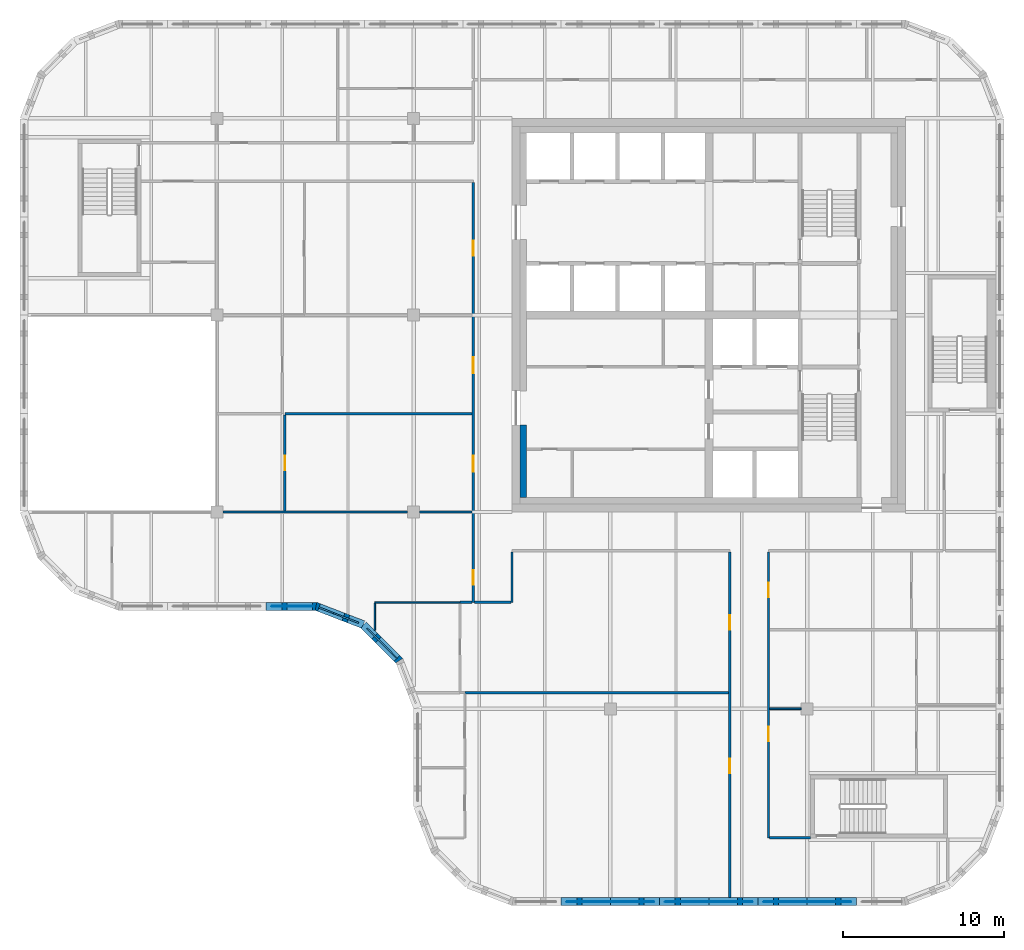
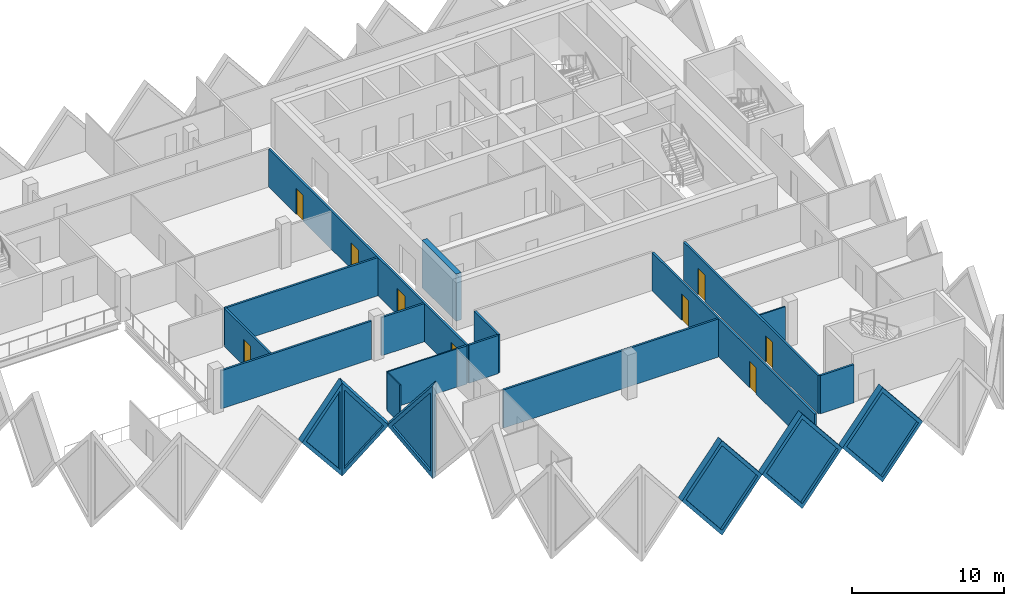
# One storey, part 4 of 12: 22 walls, 9 doors, 6 plates, 15 openings.
"""IFC4 building model written with IfcOpenShell, lengths in metres."""

from ifc_helpers import new_model, si_unit, direction, frame, frame_2d, origin, place, context, subcontext, project, spatial, polyline, rectangle, outline, extrude, faceted_brep, source, transform, mapped, material, layer, layer_set, type_object, element, fill, save


model = new_model("IFC4")

# Units and contexts
model_context = context("Model", 3, precision=1e-05, world=origin(), true_north=direction((0.0, 1.0)))
body_context = subcontext(model_context, "Body", "Model", "MODEL_VIEW")
ifc_project = project(units=[si_unit("LENGTHUNIT", "METRE"), si_unit("AREAUNIT", "SQUARE_METRE"), si_unit("VOLUMEUNIT", "CUBIC_METRE"), si_unit("PLANEANGLEUNIT", "RADIAN"), si_unit("MASSUNIT", "GRAM", prefix="KILO")], contexts=[model_context])

# Site, building, storey
site_placement = place(None, origin())
site = spatial("IfcSite", under=ifc_project, at=site_placement, CompositionType="ELEMENT")
building_placement = place(site_placement, origin())
building = spatial("IfcBuilding", under=site, at=building_placement, Name="Tessera Gate Towers", CompositionType="ELEMENT")
storey_placement = place(building_placement, frame((0.0, 0.0, 213.10009765625)))
storey = spatial("IfcBuildingStorey", under=building, at=storey_placement, Name="L53", CompositionType="ELEMENT", Elevation=213.10009765625)

# Wall
ifc_material_1 = material(Name="Concrete C50/60", Category="concrete")
ifc_layer_1 = layer(ifc_material_1, 0.39990234375)
ifc_layer_set_1 = layer_set([ifc_layer_1], Name="CORE WALL THICKENING 400")
wall_type_1 = type_object("IfcWallType", Name="CORE WALL THICKENING 400", PredefinedType="SOLIDWALL", material=ifc_layer_set_1)
wall_1_placement = place(storey_placement, frame((31.199951171875, 25.300048828125, 0.0), z_axis=(0.0, 0.0, 1.0), x_axis=(0.0, 1.0, 0.0)))
element("IfcWall", 1, at=wall_1_placement, inside=storey, type_object=wall_type_1, Name="Core wall thickening W L53", PredefinedType="SOLIDWALL", context=body_context, shape_type="SweptSolid", body=[
    extrude(rectangle(XDim=4.5, YDim=0.39990234375, at=frame_2d((2.25, 0.0))), origin(), (0.0, 0.0, 1.0), 3.7998046875),
])

# Wall, openings, doors
ifc_material_2 = material(Name="Gypsum board on steel studs, mineral wool", Category="steel")
ifc_layer_2 = layer(ifc_material_2, 0.14990234375)
ifc_layer_set_2 = layer_set([ifc_layer_2], Name="CORRIDOR WALL 150")
wall_type_2 = type_object("IfcWallType", Name="CORRIDOR WALL 150", PredefinedType="PARTITIONING", material=ifc_layer_set_2)
wall_2_placement = place(storey_placement, frame((44.0, 0.5, 0.0), z_axis=(0.0, 0.0, 1.0), x_axis=(0.0, 1.0, 0.0)))
wall_2 = element("IfcWall", 2, at=wall_2_placement, inside=storey, type_object=wall_type_2, Name="T1-L53-PW-001", PredefinedType="PARTITIONING", context=body_context, shape_type="SweptSolid", body=[
    extrude(rectangle(XDim=21.424072265625, YDim=0.14990234375, at=frame_2d((10.7119140625, 0.0))), origin(), (0.0, 0.0, 1.0), 3.06689453125),
])
shared_shape_1 = source(origin(), body_context, "Body", "SweptSolid", [
    extrude(rectangle(XDim=0.89990234375, YDim=2.10009765625, at=frame_2d((0.449951171875, 1.050048828125))), frame((0.0, 0.0849609375, 0.0), z_axis=(0.0, -1.0, 0.0), x_axis=(1.0, 0.0, 0.0)), (0.0, 0.0, 1.0), 0.169921875),
])
opening_1_placement = place(wall_2_placement, frame((16.60107421875, 0.0, 0.0)))
opening_1 = element("IfcOpeningElement", 3, at=opening_1_placement, cuts=wall_2, Name="Opening D890FD60-A19-07", PredefinedType="OPENING", context=body_context, shape_type="MappedRepresentation", body=[
    mapped(shared_shape_1, transform((0.0, 0.0, 0.0), scale=1.0)),
])
opening_2_placement = place(wall_2_placement, frame((7.699951171875, 0.0, 0.0)))
opening_2 = element("IfcOpeningElement", 4, at=opening_2_placement, cuts=wall_2, Name="Opening D890FD60-A19-08", PredefinedType="OPENING", context=body_context, shape_type="MappedRepresentation", body=[
    mapped(shared_shape_1, transform((0.0, 0.0, 0.0), scale=1.0)),
])
ifc_material_3 = material(Name="Timber door leaf in steel frame", Category="steel")
door_type_1 = type_object("IfcDoorType", Name="CORRIDOR DOOR 900 FD60", OperationType="NOTDEFINED", PredefinedType="DOOR", material=ifc_material_3)
shared_shape_2 = source(origin(), body_context, "Body", "SweptSolid", [
    extrude(rectangle(XDim=0.89990234375, YDim=2.10009765625, at=frame_2d((0.449951171875, 1.050048828125))), frame((0.0, 0.02490234375, 0.0), z_axis=(0.0, -1.0, 0.0), x_axis=(1.0, 0.0, 0.0)), (0.0, 0.0, 1.0), 0.050048828125),
])
door_1_placement = place(opening_1_placement, origin())
door_1 = element("IfcDoor", 5, at=door_1_placement, inside=storey, type_object=door_type_1, Name="T1-L53-PD-022", OperationType="SINGLE_SWING_LEFT", OverallHeight=2.10009765625, OverallWidth=0.89990234375, PredefinedType="DOOR", context=body_context, shape_type="MappedRepresentation", body=[
    mapped(shared_shape_2, transform((0.0, 0.0, 0.0), scale=1.0)),
])
fill(opening_1, door_1)
door_2_placement = place(opening_2_placement, origin())
door_2 = element("IfcDoor", 6, at=door_2_placement, inside=storey, type_object=door_type_1, Name="T1-L53-PD-023", OperationType="SINGLE_SWING_LEFT", OverallHeight=2.10009765625, OverallWidth=0.89990234375, PredefinedType="DOOR", context=body_context, shape_type="MappedRepresentation", body=[
    mapped(shared_shape_2, transform((0.0, 0.0, 0.0), scale=1.0)),
])
fill(opening_2, door_2)

wall_3_placement = place(storey_placement, frame((46.39990234375, 21.924072265625, 0.0), z_axis=(0.0, 0.0, 1.0), x_axis=(0.0, -1.0, 0.0)))
wall_3 = element("IfcWall", 7, at=wall_3_placement, inside=storey, type_object=wall_type_2, Name="T1-L53-PW-005", PredefinedType="PARTITIONING", context=body_context, shape_type="SweptSolid", body=[
    extrude(rectangle(XDim=17.72412109375, YDim=0.14990234375, at=frame_2d((8.862060546875, 0.0))), origin(), (0.0, 0.0, 1.0), 3.06689453125),
])
opening_3_placement = place(wall_3_placement, frame((1.923095703125, 0.0, 0.0)))
opening_3 = element("IfcOpeningElement", 8, at=opening_3_placement, cuts=wall_3, Name="Opening D890FD60-A19-02", PredefinedType="OPENING", context=body_context, shape_type="MappedRepresentation", body=[
    mapped(shared_shape_1, transform((0.0, 0.0, 0.0), scale=1.0)),
])
opening_4_placement = place(wall_3_placement, frame((10.823974609375, 0.0, 0.0)))
opening_4 = element("IfcOpeningElement", 9, at=opening_4_placement, cuts=wall_3, Name="Opening D890FD60-A19-11", PredefinedType="OPENING", context=body_context, shape_type="MappedRepresentation", body=[
    mapped(shared_shape_1, transform((0.0, 0.0, 0.0), scale=1.0)),
])
door_3_placement = place(opening_3_placement, origin())
door_3 = element("IfcDoor", 10, at=door_3_placement, inside=storey, type_object=door_type_1, Name="T1-L53-PD-008", OperationType="SINGLE_SWING_RIGHT", OverallHeight=2.10009765625, OverallWidth=0.89990234375, PredefinedType="DOOR", context=body_context, shape_type="MappedRepresentation", body=[
    mapped(shared_shape_2, transform((0.0, 0.0, 0.0), scale=1.0)),
])
fill(opening_3, door_3)
door_4_placement = place(opening_4_placement, origin())
door_4 = element("IfcDoor", 11, at=door_4_placement, inside=storey, type_object=door_type_1, Name="T1-L53-PD-027", OperationType="SINGLE_SWING_RIGHT", OverallHeight=2.10009765625, OverallWidth=0.89990234375, PredefinedType="DOOR", context=body_context, shape_type="MappedRepresentation", body=[
    mapped(shared_shape_2, transform((0.0, 0.0, 0.0), scale=1.0)),
])
fill(opening_4, door_4)

# Wall
wall_4_placement = place(storey_placement, frame((46.47607421875, 4.199951171875, 0.0), z_axis=(0.0, 0.0, 1.0), x_axis=(1.0, 0.0, 0.0)))
element("IfcWall", 12, at=wall_4_placement, inside=storey, type_object=wall_type_2, Name="T1-L53-PW-006", PredefinedType="PARTITIONING", context=body_context, shape_type="SweptSolid", body=[
    extrude(rectangle(XDim=2.52392578125, YDim=0.14990234375, at=frame_2d((1.261962890625, 0.0))), origin(), (0.0, 0.0, 1.0), 3.06689453125),
])

# Wall, openings, doors
wall_5_placement = place(storey_placement, frame((28.10009765625, 18.800048828125, 0.0), z_axis=(0.0, 0.0, 1.0), x_axis=(0.0, 1.0, 0.0)))
wall_5 = element("IfcWall", 13, at=wall_5_placement, inside=storey, type_object=wall_type_2, Name="T1-L53-PW-024", PredefinedType="PARTITIONING", context=body_context, shape_type="SweptSolid", body=[
    extrude(rectangle(XDim=26.02392578125, YDim=0.14990234375, at=frame_2d((13.011962890625, 0.0))), origin(), (0.0, 0.0, 1.0), 3.06689453125),
])
opening_5_placement = place(wall_5_placement, frame((1.10009765625, 0.0, 0.0)))
opening_5 = element("IfcOpeningElement", 14, at=opening_5_placement, cuts=wall_5, Name="Opening D890FD60-A19-01", PredefinedType="OPENING", context=body_context, shape_type="MappedRepresentation", body=[
    mapped(shared_shape_1, transform((0.0, 0.0, 0.0), scale=1.0)),
])
shared_shape_3 = source(origin(), body_context, "Body", "SweptSolid", [
    extrude(rectangle(XDim=1.0, YDim=2.10009765625, at=frame_2d((0.5, 1.050048828125))), frame((0.0, 0.0849609375, 0.0), z_axis=(0.0, -1.0, 0.0), x_axis=(1.0, 0.0, 0.0)), (0.0, 0.0, 1.0), 0.169921875),
])
opening_6_placement = place(wall_5_placement, frame((14.200927734375, 0.0, 0.0)))
opening_6 = element("IfcOpeningElement", 15, at=opening_6_placement, cuts=wall_5, Name="Opening D2100FD60-A19-01", PredefinedType="OPENING", context=body_context, shape_type="MappedRepresentation", body=[
    mapped(shared_shape_3, transform((0.0, 0.0, 0.0), scale=1.0)),
])
opening_7_placement = place(wall_5_placement, frame((8.10009765625, 0.0, 0.0)))
opening_7 = element("IfcOpeningElement", 16, at=opening_7_placement, cuts=wall_5, Name="Opening D2100FD60-A19-02", PredefinedType="OPENING", context=body_context, shape_type="MappedRepresentation", body=[
    mapped(shared_shape_3, transform((0.0, 0.0, 0.0), scale=1.0)),
])
opening_8_placement = place(wall_5_placement, frame((21.5, 0.0, 0.0)))
opening_8 = element("IfcOpeningElement", 17, at=opening_8_placement, cuts=wall_5, Name="Opening D890FD60-A19-04", PredefinedType="OPENING", context=body_context, shape_type="MappedRepresentation", body=[
    mapped(shared_shape_1, transform((0.0, 0.0, 0.0), scale=1.0)),
])
door_5_placement = place(opening_5_placement, origin())
door_5 = element("IfcDoor", 18, at=door_5_placement, inside=storey, type_object=door_type_1, Name="T1-L53-PD-001", OperationType="SINGLE_SWING_LEFT", OverallHeight=2.10009765625, OverallWidth=0.89990234375, PredefinedType="DOOR", context=body_context, shape_type="MappedRepresentation", body=[
    mapped(shared_shape_2, transform((0.0, 0.0, 0.0), scale=1.0)),
])
fill(opening_5, door_5)
door_6_placement = place(opening_8_placement, origin())
door_6 = element("IfcDoor", 19, at=door_6_placement, inside=storey, type_object=door_type_1, Name="T1-L53-PD-018", OperationType="SINGLE_SWING_LEFT", OverallHeight=2.10009765625, OverallWidth=0.89990234375, PredefinedType="DOOR", context=body_context, shape_type="MappedRepresentation", body=[
    mapped(shared_shape_2, transform((0.0, 0.0, 0.0), scale=1.0)),
])
fill(opening_8, door_6)
ifc_material_4 = material(Name="Timber door leaf in steel frame", Category="steel")
door_type_2 = type_object("IfcDoorType", Name="TENANCY ENTRANCE DOOR 1000 FD60", OperationType="NOTDEFINED", PredefinedType="DOOR", material=ifc_material_4)
shared_shape_4 = source(origin(), body_context, "Body", "SweptSolid", [
    extrude(rectangle(XDim=1.0, YDim=2.10009765625, at=frame_2d((0.5, 1.050048828125))), frame((0.0, 0.02490234375, 0.0), z_axis=(0.0, -1.0, 0.0), x_axis=(1.0, 0.0, 0.0)), (0.0, 0.0, 1.0), 0.050048828125),
])
door_7_placement = place(opening_6_placement, origin())
door_7 = element("IfcDoor", 20, at=door_7_placement, inside=storey, type_object=door_type_2, Name="T1-L53-PD-012", OperationType="SINGLE_SWING_LEFT", OverallHeight=2.10009765625, OverallWidth=1.0, PredefinedType="DOOR", context=body_context, shape_type="MappedRepresentation", body=[
    mapped(shared_shape_4, transform((0.0, 0.0, 0.0), scale=1.0)),
])
fill(opening_6, door_7)
door_8_placement = place(opening_7_placement, origin())
door_8 = element("IfcDoor", 21, at=door_8_placement, inside=storey, type_object=door_type_2, Name="T1-L53-PD-013", OperationType="SINGLE_SWING_LEFT", OverallHeight=2.10009765625, OverallWidth=1.0, PredefinedType="DOOR", context=body_context, shape_type="MappedRepresentation", body=[
    mapped(shared_shape_4, transform((0.0, 0.0, 0.0), scale=1.0)),
])
fill(opening_7, door_8)

# Walls
wall_6_placement = place(storey_placement, frame((28.176025390625, 18.800048828125, 0.0), z_axis=(0.0, 0.0, 1.0), x_axis=(1.0, 0.0, 0.0)))
element("IfcWall", 22, at=wall_6_placement, inside=storey, type_object=wall_type_2, Name="T1-L53-PW-025", PredefinedType="PARTITIONING", context=body_context, shape_type="SweptSolid", body=[
    extrude(rectangle(XDim=2.248046875, YDim=0.14990234375, at=frame_2d((1.1240234375, 0.0))), origin(), (0.0, 0.0, 1.0), 3.06689453125),
])
wall_7_placement = place(storey_placement, frame((30.5, 18.800048828125, 0.0), z_axis=(0.0, 0.0, 1.0), x_axis=(0.0, 1.0, 0.0)))
element("IfcWall", 23, at=wall_7_placement, inside=storey, type_object=wall_type_2, Name="T1-L53-PW-026", PredefinedType="PARTITIONING", context=body_context, shape_type="SweptSolid", body=[
    extrude(rectangle(XDim=3.1240234375, YDim=0.14990234375, at=frame_2d((1.56201171875, 0.0))), origin(), (0.0, 0.0, 1.0), 3.06689453125),
])
ifc_material_5 = material(Name="Glass", Category="glass")
ifc_layer_3 = layer(ifc_material_5, 0.10009765625)
ifc_layer_set_3 = layer_set([ifc_layer_3], Name="GLAZED PARTITION 100")
wall_type_3 = type_object("IfcWallType", Name="GLAZED PARTITION 100", PredefinedType="PARTITIONING", material=ifc_layer_set_3)
wall_8_placement = place(storey_placement, frame((22.0, 17.054931640625, 0.0), z_axis=(0.0, 0.0, 1.0), x_axis=(0.0, 1.0, 0.0)))
element("IfcWall", 24, at=wall_8_placement, inside=storey, type_object=wall_type_3, Name="T1-L53-PW-017", PredefinedType="PARTITIONING", context=body_context, shape_type="SweptSolid", body=[
    extrude(rectangle(XDim=1.694091796875, YDim=0.10009765625, at=frame_2d((0.84716796875, 0.0))), origin(), (0.0, 0.0, 1.0), 3.06689453125),
])
wall_9_placement = place(storey_placement, frame((22.0, 18.800048828125, 0.0), z_axis=(0.0, 0.0, 1.0), x_axis=(1.0, 0.0, 0.0)))
element("IfcWall", 25, at=wall_9_placement, inside=storey, type_object=wall_type_3, Name="T1-L53-PW-022", PredefinedType="PARTITIONING", context=body_context, shape_type="SweptSolid", body=[
    extrude(rectangle(XDim=5.27392578125, YDim=0.10009765625, at=frame_2d((2.636962890625, 0.0))), origin(), (0.0, 0.0, 1.0), 3.06689453125),
])
ifc_material_6 = material(Name="Gypsum board on steel studs", Category="steel")
ifc_layer_4 = layer(ifc_material_6, 0.10009765625)
ifc_layer_set_4 = layer_set([ifc_layer_4], Name="PARTITION 100")
wall_type_4 = type_object("IfcWallType", Name="PARTITION 100", PredefinedType="PARTITIONING", material=ifc_layer_set_4)
wall_10_placement = place(storey_placement, frame((48.425048828125, 12.199951171875, 0.0), z_axis=(0.0, 0.0, 1.0), x_axis=(-1.0, 0.0, 0.0)))
element("IfcWall", 26, at=wall_10_placement, inside=storey, type_object=wall_type_4, Name="T1-L53-PW-010", PredefinedType="PARTITIONING", context=body_context, shape_type="SweptSolid", body=[
    extrude(rectangle(XDim=1.949951171875, YDim=0.10009765625, at=frame_2d((0.97509765625, 0.0))), origin(), (0.0, 0.0, 1.0), 3.06689453125),
])
ifc_material_7 = material(Name="Gypsum board on steel studs, mineral wool", Category="steel")
ifc_layer_5 = layer(ifc_material_7, 0.14990234375)
ifc_layer_set_5 = layer_set([ifc_layer_5], Name="TENANCY WALL 150")
wall_type_5 = type_object("IfcWallType", Name="TENANCY WALL 150", PredefinedType="PARTITIONING", material=ifc_layer_set_5)
wall_11_placement = place(storey_placement, frame((27.574951171875, 13.199951171875, 0.0), z_axis=(0.0, 0.0, 1.0), x_axis=(1.0, 0.0, 0.0)))
element("IfcWall", 27, at=wall_11_placement, inside=storey, type_object=wall_type_5, Name="T1-L53-PW-015", PredefinedType="PARTITIONING", context=body_context, shape_type="SweptSolid", body=[
    extrude(rectangle(XDim=16.34912109375, YDim=0.14990234375, at=frame_2d((8.174560546875, 0.0))), origin(), (0.0, 0.0, 1.0), 3.06689453125),
])
wall_12_placement = place(storey_placement, frame((27.27490234375, 18.800048828125, 0.0), z_axis=(0.0, 0.0, 1.0), x_axis=(1.0, 0.0, 0.0)))
element("IfcWall", 28, at=wall_12_placement, inside=storey, type_object=wall_type_5, Name="T1-L53-PW-023", PredefinedType="PARTITIONING", context=body_context, shape_type="SweptSolid", body=[
    extrude(rectangle(XDim=0.7490234375, YDim=0.14990234375, at=frame_2d((0.37451171875, 0.0))), origin(), (0.0, 0.0, 1.0), 3.06689453125),
])
wall_13_placement = place(storey_placement, frame((12.575927734375, 24.39990234375, 0.0), z_axis=(0.0, 0.0, 1.0), x_axis=(1.0, 0.0, 0.0)))
element("IfcWall", 29, at=wall_13_placement, inside=storey, type_object=wall_type_5, Name="T1-L53-PW-032", PredefinedType="PARTITIONING", context=body_context, shape_type="SweptSolid", body=[
    extrude(rectangle(XDim=11.447998046875, YDim=0.14990234375, at=frame_2d((5.72412109375, 0.0))), origin(), (0.0, 0.0, 1.0), 3.06689453125),
])
wall_14_placement = place(storey_placement, frame((24.77587890625, 24.39990234375, 0.0), z_axis=(0.0, 0.0, 1.0), x_axis=(1.0, 0.0, 0.0)))
element("IfcWall", 30, at=wall_14_placement, inside=storey, type_object=wall_type_5, Name="T1-L53-PW-033", PredefinedType="PARTITIONING", context=body_context, shape_type="SweptSolid", body=[
    extrude(rectangle(XDim=3.248046875, YDim=0.14990234375, at=frame_2d((1.6240234375, 0.0))), origin(), (0.0, 0.0, 1.0), 3.06689453125),
])

# Wall, opening, door
wall_15_placement = place(storey_placement, frame((16.425048828125, 24.47607421875, 0.0), z_axis=(0.0, 0.0, 1.0), x_axis=(0.0, 1.0, 0.0)))
wall_15 = element("IfcWall", 31, at=wall_15_placement, inside=storey, type_object=wall_type_5, Name="T1-L53-PW-034", PredefinedType="PARTITIONING", context=body_context, shape_type="SweptSolid", body=[
    extrude(rectangle(XDim=5.947998046875, YDim=0.14990234375, at=frame_2d((2.97412109375, 0.0))), origin(), (0.0, 0.0, 1.0), 3.06689453125),
])
opening_9_placement = place(wall_15_placement, frame((2.5, 0.0, 0.0)))
opening_9 = element("IfcOpeningElement", 32, at=opening_9_placement, cuts=wall_15, Name="Opening D190-A19-04", PredefinedType="OPENING", context=body_context, shape_type="MappedRepresentation", body=[
    mapped(shared_shape_1, transform((0.0, 0.0, 0.0), scale=1.0)),
])
ifc_material_8 = material(Name="Timber door leaf in steel frame", Category="steel")
door_type_3 = type_object("IfcDoorType", Name="INTERNAL DOOR 900 NOT RATED", OperationType="NOTDEFINED", PredefinedType="DOOR", material=ifc_material_8)
door_9_placement = place(opening_9_placement, origin())
door_9 = element("IfcDoor", 33, at=door_9_placement, inside=storey, type_object=door_type_3, Name="T1-L53-PD-011", OperationType="SINGLE_SWING_LEFT", OverallHeight=2.10009765625, OverallWidth=0.89990234375, PredefinedType="DOOR", context=body_context, shape_type="MappedRepresentation", body=[
    mapped(shared_shape_2, transform((0.0, 0.0, 0.0), scale=1.0)),
])
fill(opening_9, door_9)

# Wall
wall_16_placement = place(storey_placement, frame((16.425048828125, 30.5, 0.0), z_axis=(0.0, 0.0, 1.0), x_axis=(1.0, 0.0, 0.0)))
element("IfcWall", 34, at=wall_16_placement, inside=storey, type_object=wall_type_5, Name="T1-L53-PW-037", PredefinedType="PARTITIONING", context=body_context, shape_type="SweptSolid", body=[
    extrude(rectangle(XDim=11.598876953125, YDim=0.14990234375, at=frame_2d((5.79931640625, 0.0))), origin(), (0.0, 0.0, 1.0), 3.06689453125),
])

# Wall, opening, plate
ifc_material_9 = material(Name="Precast concrete C60/75 white", Category="concrete")
ifc_layer_6 = layer(ifc_material_9, 0.5)
ifc_layer_set_6 = layer_set([ifc_layer_6], Name="TS1 tessera")
wall_type_6 = type_object("IfcWallType", Name="TS1 tessera", PredefinedType="SOLIDWALL", material=ifc_layer_set_6)
shared_shape_5 = source(origin(), body_context, "Body", "Brep", [
    faceted_brep([(3.050048828125, -0.25, 0.0), (6.099853515625, -0.25, 3.7998046875), (6.099853515625, -0.25, 3.80029296875), (3.050048828125, -0.25, 7.599853515625), (0.0, -0.25, 3.800048828125), (0.0, 0.25, 3.800048828125), (3.050048828125, 0.25, 7.599853515625), (6.099853515625, 0.25, 3.80029296875), (6.099853515625, 0.25, 3.7998046875), (3.050048828125, 0.25, 0.0)], [[[0, 1, 2, 3, 4]], [[5, 6, 7, 8, 9]], [[9, 8, 1, 0]], [[7, 6, 3, 2]], [[6, 5, 4, 3]], [[5, 9, 0, 4]], [[1, 8, 7, 2]]]),
])
wall_17_placement = place(storey_placement, frame((33.550048828125, 0.25, -3.800048828125), z_axis=(0.0, 0.0, 1.0), x_axis=(1.0, 0.0, 0.0)))
wall_17 = element("IfcWall", 35, at=wall_17_placement, inside=storey, type_object=wall_type_6, Name="Precast tessera T1 TS1-0920", PredefinedType="SOLIDWALL", context=body_context, shape_type="MappedRepresentation", body=[
    mapped(shared_shape_5, transform((0.0, 0.0, 0.0), scale=1.0)),
])
shared_shape_6 = source(origin(), body_context, "Body", "SweptSolid", [
    extrude(outline(polyline([(3.050048828125, 0.3994140625), (5.779541015625, 3.800048828125), (3.050048828125, 7.200439453125), (0.320556640625, 3.800048828125), (3.050048828125, 0.3994140625)])), frame((0.0, 0.260009765625, 0.0), z_axis=(0.0, -1.0, 0.0), x_axis=(1.0, 0.0, 0.0)), (0.0, 0.0, 1.0), 0.52001953125),
])
opening_10_placement = place(wall_17_placement, origin())
opening_10 = element("IfcOpeningElement", 36, at=opening_10_placement, cuts=wall_17, Name="Opening T1-PL2-1882", PredefinedType="OPENING", context=body_context, shape_type="MappedRepresentation", body=[
    mapped(shared_shape_6, transform((0.0, 0.0, 0.0), scale=1.0)),
])
ifc_material_10 = material(Name="Low-e laminated glass", Category="glass")
ifc_layer_7 = layer(ifc_material_10, 0.06005859375)
ifc_layer_set_7 = layer_set([ifc_layer_7], Name="PL2 rhombic pane")
plate_type = type_object("IfcPlateType", Name="PL2 rhombic pane", PredefinedType="SHEET", material=ifc_layer_set_7)
shared_shape_7 = source(origin(), body_context, "Body", "SweptSolid", [
    extrude(outline(polyline([(3.050048828125, 0.3994140625), (5.779541015625, 3.800048828125), (3.050048828125, 7.200439453125), (0.320556640625, 3.800048828125), (3.050048828125, 0.3994140625)])), frame((0.0, 0.030029296875, 0.0), z_axis=(0.0, -1.0, 0.0), x_axis=(1.0, 0.0, 0.0)), (0.0, 0.0, 1.0), 0.06005859375),
])
plate_1_placement = place(opening_10_placement, origin())
plate_1 = element("IfcPlate", 37, at=plate_1_placement, inside=storey, type_object=plate_type, Name="Glass pane T1 PL2-1882", PredefinedType="SHEET", context=body_context, shape_type="MappedRepresentation", body=[
    mapped(shared_shape_7, transform((0.0, 0.0, 0.0), scale=1.0)),
])
fill(opening_10, plate_1)

shared_shape_8 = source(origin(), body_context, "Body", "SweptSolid", [
    extrude(outline(polyline([(3.050048828125, 0.0), (6.10009765625, 3.800048828125), (3.050048828125, 7.599853515625), (0.0, 3.800048828125), (3.050048828125, 0.0)])), frame((0.0, 0.25, 0.0), z_axis=(0.0, -1.0, 0.0), x_axis=(1.0, 0.0, 0.0)), (0.0, 0.0, 1.0), 0.5),
])
wall_18_placement = place(storey_placement, frame((39.64990234375, 0.25, -3.800048828125), z_axis=(0.0, 0.0, 1.0), x_axis=(1.0, 0.0, 0.0)))
wall_18 = element("IfcWall", 38, at=wall_18_placement, inside=storey, type_object=wall_type_6, Name="Precast tessera T1 TS1-0921", PredefinedType="SOLIDWALL", context=body_context, shape_type="MappedRepresentation", body=[
    mapped(shared_shape_8, transform((0.0, 0.0, 0.0), scale=1.0)),
])
opening_11_placement = place(wall_18_placement, origin())
opening_11 = element("IfcOpeningElement", 39, at=opening_11_placement, cuts=wall_18, Name="Opening T1-PL2-1883", PredefinedType="OPENING", context=body_context, shape_type="MappedRepresentation", body=[
    mapped(shared_shape_6, transform((0.0, 0.0, 0.0), scale=1.0)),
])
plate_2_placement = place(opening_11_placement, origin())
plate_2 = element("IfcPlate", 40, at=plate_2_placement, inside=storey, type_object=plate_type, Name="Glass pane T1 PL2-1883", PredefinedType="SHEET", context=body_context, shape_type="MappedRepresentation", body=[
    mapped(shared_shape_7, transform((0.0, 0.0, 0.0), scale=1.0)),
])
fill(opening_11, plate_2)

wall_19_placement = place(storey_placement, frame((45.75, 0.25, -3.800048828125), z_axis=(0.0, 0.0, 1.0), x_axis=(1.0, 0.0, 0.0)))
wall_19 = element("IfcWall", 41, at=wall_19_placement, inside=storey, type_object=wall_type_6, Name="Precast tessera T1 TS1-0922", PredefinedType="SOLIDWALL", context=body_context, shape_type="MappedRepresentation", body=[
    mapped(shared_shape_8, transform((0.0, 0.0, 0.0), scale=1.0)),
])
opening_12_placement = place(wall_19_placement, origin())
opening_12 = element("IfcOpeningElement", 42, at=opening_12_placement, cuts=wall_19, Name="Opening T1-PL2-1884", PredefinedType="OPENING", context=body_context, shape_type="MappedRepresentation", body=[
    mapped(shared_shape_6, transform((0.0, 0.0, 0.0), scale=1.0)),
])
plate_3_placement = place(opening_12_placement, origin())
plate_3 = element("IfcPlate", 43, at=plate_3_placement, inside=storey, type_object=plate_type, Name="Glass pane T1 PL2-1884", PredefinedType="SHEET", context=body_context, shape_type="MappedRepresentation", body=[
    mapped(shared_shape_7, transform((0.0, 0.0, 0.0), scale=1.0)),
])
fill(opening_12, plate_3)

ifc_material_11 = material(Name="Precast concrete C60/75 white", Category="concrete")
ifc_layer_8 = layer(ifc_material_11, 0.5)
ifc_layer_set_8 = layer_set([ifc_layer_8], Name="TS3 corner tessera")
wall_type_7 = type_object("IfcWallType", Name="TS3 corner tessera", PredefinedType="SOLIDWALL", material=ifc_layer_set_8)
shared_shape_9 = source(origin(), body_context, "Body", "Brep", [
    faceted_brep([(3.050048828125, -0.25, 7.54296875), (0.0, -0.25, 3.800048828125), (3.050048828125, -0.25, 0.056884765625), (0.0, 0.25, 3.800048828125), (3.096435546875, 0.25, 7.599853515625), (3.14306640625, 0.25, 7.54345703125), (3.14306640625, 0.25, 0.056396484375), (3.096435546875, 0.25, 0.0), (3.096435546875, -0.00048828125, 0.0), (3.096435546875, -0.00048828125, 7.599853515625)], [[[0, 1, 2]], [[3, 4, 5, 6, 7]], [[7, 6, 8]], [[5, 4, 9]], [[4, 3, 1, 0, 9]], [[3, 7, 8, 2, 1]], [[2, 8, 6, 5, 9, 0]]]),
])
wall_20_placement = place(storey_placement, frame((15.25, 18.550048828125, -3.800048828125), z_axis=(0.0, 0.0, 1.0), x_axis=(1.0, 0.0, 0.0)))
wall_20 = element("IfcWall", 44, at=wall_20_placement, inside=storey, type_object=wall_type_7, Name="Precast corner tessera T1 TS3-1243", PredefinedType="SOLIDWALL", context=body_context, shape_type="MappedRepresentation", body=[
    mapped(shared_shape_9, transform((0.0, 0.0, 0.0), scale=1.0)),
])
shared_shape_10 = source(origin(), body_context, "Body", "SweptSolid", [
    extrude(outline(polyline([(2.896484375, 6.958740234375), (0.322509765625, 3.800048828125), (2.896484375, 0.64111328125), (2.896484375, 6.958740234375)])), frame((0.0, 0.260009765625, 0.0), z_axis=(0.0, -1.0, 0.0), x_axis=(1.0, 0.0, 0.0)), (0.0, 0.0, 1.0), 0.52001953125),
])
opening_13_placement = place(wall_20_placement, origin())
opening_13 = element("IfcOpeningElement", 45, at=opening_13_placement, cuts=wall_20, Name="Opening T1-PL2-1920", PredefinedType="OPENING", context=body_context, shape_type="MappedRepresentation", body=[
    mapped(shared_shape_10, transform((0.0, 0.0, 0.0), scale=1.0)),
])
shared_shape_11 = source(origin(), body_context, "Body", "SweptSolid", [
    extrude(outline(polyline([(2.896484375, 6.958740234375), (0.322509765625, 3.800048828125), (2.896484375, 0.64111328125), (2.896484375, 6.958740234375)])), frame((0.0, 0.030029296875, 0.0), z_axis=(0.0, -1.0, 0.0), x_axis=(1.0, 0.0, 0.0)), (0.0, 0.0, 1.0), 0.06005859375),
])
plate_4_placement = place(opening_13_placement, origin())
plate_4 = element("IfcPlate", 46, at=plate_4_placement, inside=storey, type_object=plate_type, Name="Glass pane T1 PL2-1920", PredefinedType="SHEET", context=body_context, shape_type="MappedRepresentation", body=[
    mapped(shared_shape_11, transform((0.0, 0.0, 0.0), scale=1.0)),
])
fill(opening_13, plate_4)

shared_shape_12 = source(origin(), body_context, "Body", "Brep", [
    faceted_brep([(0.09326171875, -0.25, 0.05615234375), (3.14306640625, -0.25, 3.736328125), (3.14306640625, -0.25, 3.86376953125), (0.09326171875, -0.25, 7.543701171875), (0.0, 0.25, 7.542724609375), (0.046630859375, 0.25, 7.599853515625), (3.196044921875, 0.25, 3.800048828125), (0.046630859375, 0.25, 0.0), (0.0, 0.25, 0.05712890625), (3.196044921875, -0.000244140625, 3.800048828125), (0.046630859375, 0.0, 0.0), (0.046630859375, 0.0, 7.599853515625)], [[[0, 1, 2, 3]], [[4, 5, 6, 7, 8]], [[7, 6, 9, 1, 0, 10]], [[6, 5, 11, 3, 2, 9]], [[5, 4, 11]], [[8, 7, 10]], [[8, 10, 0, 3, 11, 4]], [[1, 9, 2]]]),
])
wall_21_placement = place(storey_placement, frame((18.302978515625, 18.56689453125, -3.800048828125), z_axis=(0.0, 0.0, 1.0), x_axis=(0.932978940178, -0.359930961693, 0.0)))
wall_21 = element("IfcWall", 47, at=wall_21_placement, inside=storey, type_object=wall_type_7, Name="Precast corner tessera T1 TS3-1244", PredefinedType="SOLIDWALL", context=body_context, shape_type="MappedRepresentation", body=[
    mapped(shared_shape_12, transform((0.0, 0.0, 0.0), scale=1.0)),
])
shared_shape_13 = source(origin(), body_context, "Body", "SweptSolid", [
    extrude(outline(polyline([(0.24658203125, 0.633056640625), (2.871337890625, 3.800048828125), (0.24658203125, 6.966796875), (0.24658203125, 0.633056640625)])), frame((0.0, 0.260009765625, 0.0), z_axis=(0.0, -1.0, 0.0), x_axis=(1.0, 0.0, 0.0)), (0.0, 0.0, 1.0), 0.52001953125),
])
opening_14_placement = place(wall_21_placement, origin())
opening_14 = element("IfcOpeningElement", 48, at=opening_14_placement, cuts=wall_21, Name="Opening T1-PL2-1921", PredefinedType="OPENING", context=body_context, shape_type="MappedRepresentation", body=[
    mapped(shared_shape_13, transform((0.0, 0.0, 0.0), scale=1.0)),
])
shared_shape_14 = source(origin(), body_context, "Body", "SweptSolid", [
    extrude(outline(polyline([(0.24658203125, 0.633056640625), (2.871337890625, 3.800048828125), (0.24658203125, 6.966796875), (0.24658203125, 0.633056640625)])), frame((0.0, 0.030029296875, 0.0), z_axis=(0.0, -1.0, 0.0), x_axis=(1.0, 0.0, 0.0)), (0.0, 0.0, 1.0), 0.06005859375),
])
plate_5_placement = place(opening_14_placement, origin())
plate_5 = element("IfcPlate", 49, at=plate_5_placement, inside=storey, type_object=plate_type, Name="Glass pane T1 PL2-1921", PredefinedType="SHEET", context=body_context, shape_type="MappedRepresentation", body=[
    mapped(shared_shape_14, transform((0.0, 0.0, 0.0), scale=1.0)),
])
fill(opening_14, plate_5)

shared_shape_15 = source(origin(), body_context, "Body", "Brep", [
    faceted_brep([(3.10302734375, -0.25, 7.5361328125), (0.052978515625, -0.25, 3.86376953125), (0.052978515625, -0.25, 3.736328125), (3.10302734375, -0.25, 0.063720703125), (0.0, 0.25, 3.800048828125), (3.15576171875, 0.25, 7.599853515625), (3.208740234375, 0.25, 7.535888671875), (3.208740234375, 0.25, 0.06396484375), (3.15576171875, 0.25, 0.0), (3.15576171875, -0.00048828125, 0.0), (3.15576171875, -0.00048828125, 7.599853515625), (0.0, 0.0, 3.800048828125)], [[[0, 1, 2, 3]], [[4, 5, 6, 7, 8]], [[8, 7, 9]], [[6, 5, 10]], [[5, 4, 11, 1, 0, 10]], [[4, 8, 9, 3, 2, 11]], [[2, 1, 11]], [[3, 9, 7, 6, 10, 0]]]),
])
wall_22_placement = place(storey_placement, frame((21.284912109375, 17.41650390625, -3.800048828125), z_axis=(0.0, 0.0, 1.0), x_axis=(0.707106781187, -0.707106781187, 0.0)))
wall_22 = element("IfcWall", 50, at=wall_22_placement, inside=storey, type_object=wall_type_7, Name="Precast corner tessera T1 TS3-1245", PredefinedType="SOLIDWALL", context=body_context, shape_type="MappedRepresentation", body=[
    mapped(shared_shape_15, transform((0.0, 0.0, 0.0), scale=1.0)),
])
shared_shape_16 = source(origin(), body_context, "Body", "SweptSolid", [
    extrude(outline(polyline([(2.955810546875, 6.9677734375), (0.324951171875, 3.800048828125), (2.955810546875, 0.632080078125), (2.955810546875, 6.9677734375)])), frame((0.0, 0.260009765625, 0.0), z_axis=(0.0, -1.0, 0.0), x_axis=(1.0, 0.0, 0.0)), (0.0, 0.0, 1.0), 0.52001953125),
])
opening_15_placement = place(wall_22_placement, origin())
opening_15 = element("IfcOpeningElement", 51, at=opening_15_placement, cuts=wall_22, Name="Opening T1-PL2-1922", PredefinedType="OPENING", context=body_context, shape_type="MappedRepresentation", body=[
    mapped(shared_shape_16, transform((0.0, 0.0, 0.0), scale=1.0)),
])
shared_shape_17 = source(origin(), body_context, "Body", "SweptSolid", [
    extrude(outline(polyline([(2.955810546875, 6.9677734375), (0.324951171875, 3.800048828125), (2.955810546875, 0.632080078125), (2.955810546875, 6.9677734375)])), frame((0.0, 0.030029296875, 0.0), z_axis=(0.0, -1.0, 0.0), x_axis=(1.0, 0.0, 0.0)), (0.0, 0.0, 1.0), 0.06005859375),
])
plate_6_placement = place(opening_15_placement, origin())
plate_6 = element("IfcPlate", 52, at=plate_6_placement, inside=storey, type_object=plate_type, Name="Glass pane T1 PL2-1922", PredefinedType="SHEET", context=body_context, shape_type="MappedRepresentation", body=[
    mapped(shared_shape_17, transform((0.0, 0.0, 0.0), scale=1.0)),
])
fill(opening_15, plate_6)

save(model, "model.ifc")
